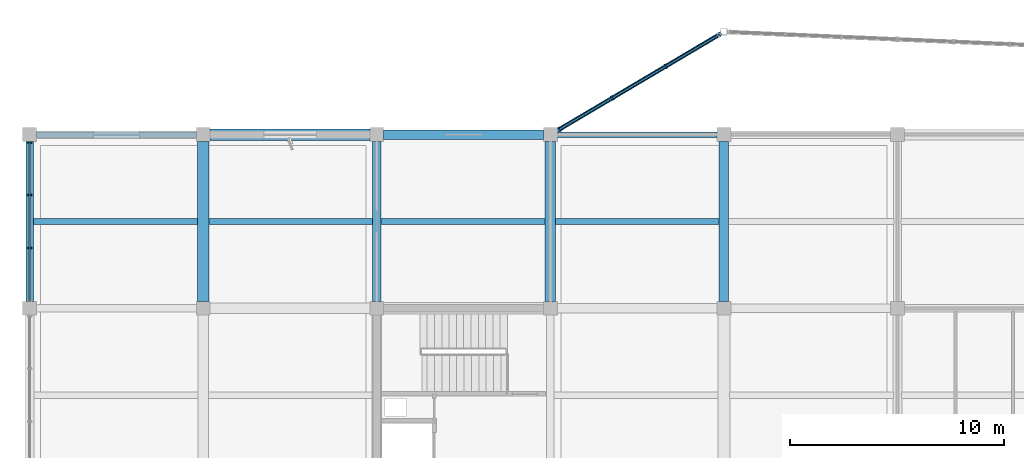
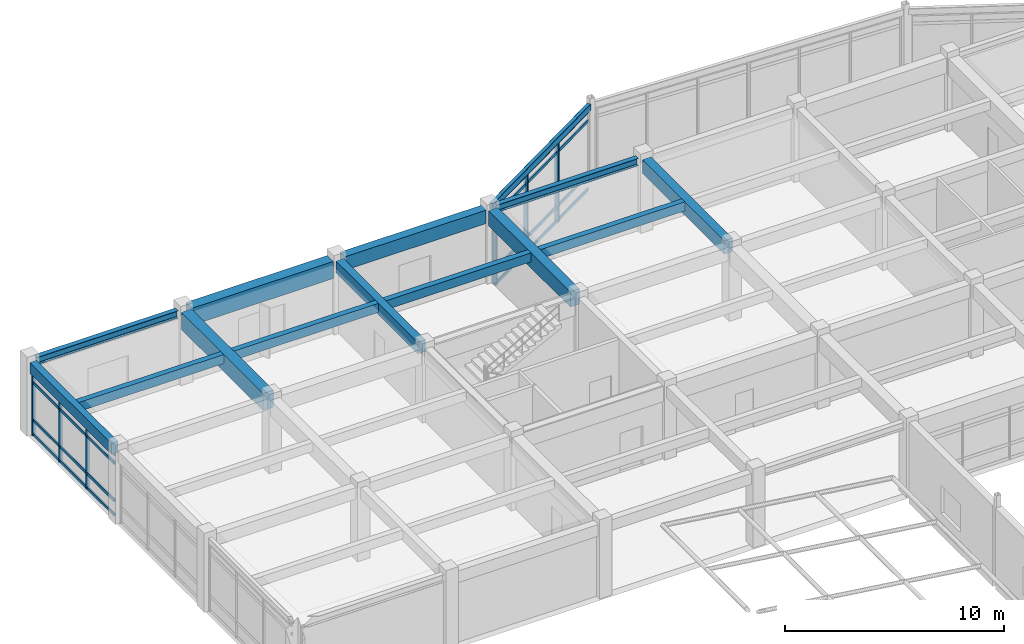
# One storey, part 44 of 89: 14 beams, 14 members, 2 elements without a shape of their own.
"""IFC4 building model written with IfcOpenShell, lengths in metres."""

from ifc_helpers import new_model, si_unit, direction, frame, origin, origin_2d, place, context, subcontext, project, spatial, rectangle, hollow_rectangle, i_section, extrude, material, layer, layer_set, material_profile, profile_set, type_object, element, aggregate, save


model = new_model("IFC4")

# Units and contexts
model_context = context("Model", 3, precision=1e-05, world=origin(), true_north=direction((0.0, 1.0)))
body_context = subcontext(model_context, "Body", "Model", "MODEL_VIEW")
ifc_project = project(units=[si_unit("LENGTHUNIT", "METRE"), si_unit("AREAUNIT", "SQUARE_METRE"), si_unit("VOLUMEUNIT", "CUBIC_METRE"), si_unit("PLANEANGLEUNIT", "RADIAN"), si_unit("MASSUNIT", "GRAM", prefix="KILO")], contexts=[model_context])

# Site, building, storey
site_placement = place(None, origin())
site = spatial("IfcSite", under=ifc_project, at=site_placement, CompositionType="ELEMENT")
building_placement = place(site_placement, origin())
building = spatial("IfcBuilding", under=site, at=building_placement, Name="Vaudrelin Polytechnic", CompositionType="ELEMENT")
storey_placement = place(building_placement, frame((0.0, 0.0, 9.68994140625)))
storey = spatial("IfcBuildingStorey", under=building, at=storey_placement, Name="L02", CompositionType="ELEMENT", Elevation=9.68994140625)

# Beams
ifc_material_1 = material(Name="Concrete 40 MPa", Category="concrete")
ifc_material_profile_1 = material_profile(ifc_material_1, rectangle(XDim=0.35009765625, YDim=0.60009765625, at=origin_2d()), Name="RC350x600")
ifc_profile_set_1 = profile_set([ifc_material_profile_1], Name="Concrete 40 MPa")
beam_type_1 = type_object("IfcBeamType", Name="BM-BM-RC3560", PredefinedType="BEAM", material=ifc_profile_set_1)
beam_1_placement = place(storey_placement, frame((0.0, 113.7099609375, 3.780029296875), z_axis=(0.0, 1.0, 0.0), x_axis=(-1.0, 0.0, 0.0)))
element("IfcBeam", 1, at=beam_1_placement, inside=storey, type_object=beam_type_1, Name="L02 Y-beam 1-15", PredefinedType="BEAM", context=body_context, shape_type="SweptSolid", body=[
    extrude(rectangle(XDim=0.35009765625, YDim=0.60009765625, at=origin_2d()), origin(), (0.0, 0.0, 1.0), 7.47998046875),
])
ifc_material_profile_2 = material_profile(ifc_material_1, rectangle(XDim=0.39990234375, YDim=0.64990234375, at=origin_2d()), Name="RC400x650")
ifc_profile_set_2 = profile_set([ifc_material_profile_2], Name="Concrete 40 MPa")
beam_type_2 = type_object("IfcBeamType", Name="BM-BM-RC4065", PredefinedType="BEAM", material=ifc_profile_set_2)
beam_2_placement = place(storey_placement, frame((16.199951171875, 113.7099609375, 3.755126953125), z_axis=(0.0, 1.0, 0.0), x_axis=(-1.0, 0.0, 0.0)))
element("IfcBeam", 2, at=beam_2_placement, inside=storey, type_object=beam_type_2, Name="L02 Y-beam 3-15", PredefinedType="BEAM", context=body_context, shape_type="SweptSolid", body=[
    extrude(rectangle(XDim=0.39990234375, YDim=0.64990234375, at=origin_2d()), origin(), (0.0, 0.0, 1.0), 7.47998046875),
])
ifc_material_profile_3 = material_profile(ifc_material_1, rectangle(XDim=0.449951171875, YDim=0.75, at=origin_2d()), Name="RC450x750")
ifc_profile_set_3 = profile_set([ifc_material_profile_3], Name="Concrete 40 MPa")
beam_type_3 = type_object("IfcBeamType", Name="BM-BM-RC4575", PredefinedType="BEAM", material=ifc_profile_set_3)
beam_3_placement = place(storey_placement, frame((32.39990234375, 113.7099609375, 3.705078125), z_axis=(0.0, 1.0, 0.0), x_axis=(-1.0, 0.0, 0.0)))
element("IfcBeam", 3, at=beam_3_placement, inside=storey, type_object=beam_type_3, Name="L02 Y-beam 5-15", PredefinedType="BEAM", context=body_context, shape_type="SweptSolid", body=[
    extrude(rectangle(XDim=0.449951171875, YDim=0.75, at=origin_2d()), origin(), (0.0, 0.0, 1.0), 7.47998046875),
])
beam_4_placement = place(storey_placement, frame((16.52099609375, 121.5, 3.705078125), z_axis=(1.0, 0.0, 0.0), x_axis=(0.0, 1.0, 0.0)))
element("IfcBeam", 4, at=beam_4_placement, inside=storey, type_object=beam_type_3, Name="L02 X-beam 3-16", PredefinedType="BEAM", context=body_context, shape_type="SweptSolid", body=[
    extrude(rectangle(XDim=0.449951171875, YDim=0.75, at=origin_2d()), origin(), (0.0, 0.0, 1.0), 7.4580078125),
])
ifc_material_profile_4 = material_profile(ifc_material_1, rectangle(XDim=0.5, YDim=0.85009765625, at=origin_2d()), Name="RC500x850")
ifc_profile_set_4 = profile_set([ifc_material_profile_4], Name="Concrete 40 MPa")
beam_type_4 = type_object("IfcBeamType", Name="BM-BM-RC5085", PredefinedType="BEAM", material=ifc_profile_set_4)
beam_5_placement = place(storey_placement, frame((24.300048828125, 113.7099609375, 3.655029296875), z_axis=(0.0, 1.0, 0.0), x_axis=(-1.0, 0.0, 0.0)))
element("IfcBeam", 5, at=beam_5_placement, inside=storey, type_object=beam_type_4, Name="L02 Y-beam 4-15", PredefinedType="BEAM", context=body_context, shape_type="SweptSolid", body=[
    extrude(rectangle(XDim=0.5, YDim=0.85009765625, at=origin_2d()), origin(), (0.0, 0.0, 1.0), 7.47998046875),
])
ifc_material_2 = material(Name="Concrete 50 MPa", Category="concrete")
ifc_material_profile_5 = material_profile(ifc_material_2, rectangle(XDim=0.550048828125, YDim=0.949951171875, at=origin_2d()), Name="RC550x950")
ifc_profile_set_5 = profile_set([ifc_material_profile_5], Name="Concrete 50 MPa")
beam_type_5 = type_object("IfcBeamType", Name="BM-BM-RC5595", PredefinedType="BEAM", material=ifc_profile_set_5)
beam_6_placement = place(storey_placement, frame((8.10009765625, 113.7099609375, 3.60498046875), z_axis=(0.0, 1.0, 0.0), x_axis=(-1.0, 0.0, 0.0)))
element("IfcBeam", 6, at=beam_6_placement, inside=storey, type_object=beam_type_5, Name="L02 Y-beam 2-15", PredefinedType="BEAM", context=body_context, shape_type="SweptSolid", body=[
    extrude(rectangle(XDim=0.550048828125, YDim=0.949951171875, at=origin_2d()), origin(), (0.0, 0.0, 1.0), 7.47998046875),
])
beam_7_placement = place(storey_placement, frame((8.4208984375, 121.5, 3.60498046875), z_axis=(1.0, 0.0, 0.0), x_axis=(0.0, 1.0, 0.0)))
element("IfcBeam", 7, at=beam_7_placement, inside=storey, type_object=beam_type_5, Name="L02 X-beam 2-16", PredefinedType="BEAM", context=body_context, shape_type="SweptSolid", body=[
    extrude(rectangle(XDim=0.550048828125, YDim=0.949951171875, at=origin_2d()), origin(), (0.0, 0.0, 1.0), 7.4580078125),
])
ifc_material_3 = material(Name="Steel CSA G40.21 350WT", Category="steel")
ifc_material_profile_6 = material_profile(ifc_material_3, i_section(OverallWidth=0.260009765625, OverallDepth=0.4150390625, WebThickness=0.010009765625, FlangeThickness=0.016845703125, FilletRadius=0.01611328125, at=origin_2d()), Name="W410x100")
ifc_profile_set_6 = profile_set([ifc_material_profile_6], Name="Steel CSA G40.21 350WT")
beam_type_6 = type_object("IfcBeamType", Name="BM-BM-W410H", PredefinedType="SPANDREL", material=ifc_profile_set_6)
for number, where, z_axis, x_axis, name in (
    (8, (0.321044921875, 121.5, 3.87255859375), (1.0, 0.0, 0.0), (0.0, 1.0, 0.0), "L02 X-beam 1-16"),
    (9, (24.62109375, 121.5, 3.87255859375), (1.0, 0.0, 0.0), (0.0, 1.0, 0.0), "L02 X-beam 4-16"),
):
    element("IfcBeam", number, at=place(storey_placement, frame(where, z_axis=z_axis, x_axis=x_axis)), inside=storey, type_object=beam_type_6, Name=name, PredefinedType="SPANDREL", context=body_context, shape_type="SweptSolid", body=[
        extrude(i_section(OverallWidth=0.260009765625, OverallDepth=0.4150390625, WebThickness=0.010009765625, FlangeThickness=0.016845703125, FilletRadius=0.01611328125, at=origin_2d()), origin(), (0.0, 0.0, 1.0), 7.4580078125),
    ])
ifc_material_profile_7 = material_profile(ifc_material_1, rectangle(XDim=0.300048828125, YDim=0.5, at=origin_2d()), Name="RC300x500")
ifc_profile_set_7 = profile_set([ifc_material_profile_7], Name="Concrete 40 MPa")
beam_type_7 = type_object("IfcBeamType", Name="BM-JS-RC3050", PredefinedType="JOIST", material=ifc_profile_set_7)
beam_8_placement = place(storey_placement, frame((0.1708984375, 117.449951171875, 3.830078125), z_axis=(1.0, 0.0, 0.0), x_axis=(0.0, 1.0, 0.0)))
element("IfcBeam", 10, at=beam_8_placement, inside=storey, type_object=beam_type_7, Name="L02 floor joist 1-15", PredefinedType="JOIST", context=body_context, shape_type="SweptSolid", body=[
    extrude(rectangle(XDim=0.300048828125, YDim=0.5, at=origin_2d()), origin(), (0.0, 0.0, 1.0), 7.658203125),
])
beam_9_placement = place(storey_placement, frame((8.37109375, 117.449951171875, 3.830078125), z_axis=(1.0, 0.0, 0.0), x_axis=(0.0, 1.0, 0.0)))
element("IfcBeam", 11, at=beam_9_placement, inside=storey, type_object=beam_type_7, Name="L02 floor joist 2-15", PredefinedType="JOIST", context=body_context, shape_type="SweptSolid", body=[
    extrude(rectangle(XDim=0.300048828125, YDim=0.5, at=origin_2d()), origin(), (0.0, 0.0, 1.0), 7.6328125),
])
beam_10_placement = place(storey_placement, frame((16.39599609375, 117.449951171875, 3.830078125), z_axis=(1.0, 0.0, 0.0), x_axis=(0.0, 1.0, 0.0)))
element("IfcBeam", 12, at=beam_10_placement, inside=storey, type_object=beam_type_7, Name="L02 floor joist 3-15", PredefinedType="JOIST", context=body_context, shape_type="SweptSolid", body=[
    extrude(rectangle(XDim=0.300048828125, YDim=0.5, at=origin_2d()), origin(), (0.0, 0.0, 1.0), 7.657958984375),
])
beam_11_placement = place(storey_placement, frame((24.5458984375, 117.449951171875, 3.830078125), z_axis=(1.0, 0.0, 0.0), x_axis=(0.0, 1.0, 0.0)))
element("IfcBeam", 13, at=beam_11_placement, inside=storey, type_object=beam_type_7, Name="L02 floor joist 4-15", PredefinedType="JOIST", context=body_context, shape_type="SweptSolid", body=[
    extrude(rectangle(XDim=0.300048828125, YDim=0.5, at=origin_2d()), origin(), (0.0, 0.0, 1.0), 7.633056640625),
])
ifc_material_profile_8 = material_profile(ifc_material_3, hollow_rectangle(XDim=0.202880859375, YDim=0.35595703125, WallThickness=0.0126953125, InnerFilletRadius=0.0126953125, OuterFilletRadius=0.025390625, at=origin_2d()), Name="HSS356x203x12.7")
ifc_profile_set_8 = profile_set([ifc_material_profile_8], Name="Steel CSA G40.21 350WT")
beam_type_8 = type_object("IfcBeamType", Name="BM-SP-HSS35", PredefinedType="SPANDREL", material=ifc_profile_set_8)
beam_12_placement = place(storey_placement, frame((24.42041015625, 121.5712890625, 3.962158203125), z_axis=(0.860293270053, 0.509799460083, 0.0), x_axis=(-0.509799460083, 0.860293270053, 0.0)))
element("IfcBeam", 14, at=beam_12_placement, inside=storey, type_object=beam_type_8, Name="Sculptural edge beam L02 N_OR1_B1", PredefinedType="SPANDREL", context=body_context, shape_type="SweptSolid", body=[
    extrude(hollow_rectangle(XDim=0.202880859375, YDim=0.35595703125, WallThickness=0.0126953125, InnerFilletRadius=0.0126953125, OuterFilletRadius=0.025390625, at=origin_2d()), origin(), (0.0, 0.0, 1.0), 9.135498046875),
])

# Curtain wall, members
ifc_material_4 = material(Name="Thermally broken anodised aluminium AA 6063-T6 and low-e triple glazing", Category="aluminium")
ifc_layer_1 = layer(ifc_material_4, 0.199951171875)
ifc_layer_set_1 = layer_set([ifc_layer_1], Name="Thermally broken anodised aluminium AA 6063-T6 and low-e triple glazing")
curtain_wall_type_1 = type_object("IfcCurtainWallType", Name="CW-CW-LIB", PredefinedType="USERDEFINED", material=ifc_layer_set_1)
curtain_wall_1_placement = place(storey_placement, origin())
curtain_wall_1 = element("IfcCurtainWall", 15, at=curtain_wall_1_placement, inside=storey, type_object=curtain_wall_type_1, Name="Curtain wall L02 W_V5_02", ObjectType="CURTAIN WALL", PredefinedType="USERDEFINED")
ifc_material_5 = material(Name="Anodised aluminium AA 6063-T6", Category="aluminium")
ifc_material_profile_9 = material_profile(ifc_material_5, rectangle(XDim=0.06494140625, YDim=0.179931640625, at=origin_2d()), Name="CWM-65x180")
ifc_profile_set_9 = profile_set([ifc_material_profile_9], Name="Anodised aluminium AA 6063-T6")
member_type_1 = type_object("IfcMemberType", Name="MEM-CWM-180", PredefinedType="MULLION", material=ifc_profile_set_9)
member_1_placement = place(storey_placement, frame((0.0, 116.207763671875, 0.0), z_axis=(0.0, 0.0, 1.0), x_axis=(0.0, 1.0, 0.0)))
member_1 = element("IfcMember", 16, at=member_1_placement, type_object=member_type_1, Name="W_V5_02 mullion 2", PredefinedType="MULLION", context=body_context, shape_type="SweptSolid", body=[
    extrude(rectangle(XDim=0.06494140625, YDim=0.179931640625, at=origin_2d()), origin(), (0.0, 0.0, 1.0), 3.482177734375),
])
member_2_placement = place(storey_placement, frame((0.0, 118.6923828125, 0.0), z_axis=(0.0, 0.0, 1.0), x_axis=(0.0, 1.0, 0.0)))
member_2 = element("IfcMember", 17, at=member_2_placement, type_object=member_type_1, Name="W_V5_02 mullion 3", PredefinedType="MULLION", context=body_context, shape_type="SweptSolid", body=[
    extrude(rectangle(XDim=0.06494140625, YDim=0.179931640625, at=origin_2d()), origin(), (0.0, 0.0, 1.0), 3.482177734375),
])
member_3_placement = place(storey_placement, frame((0.0, 121.136962890625, 0.0), z_axis=(0.0, 0.0, 1.0), x_axis=(0.0, 1.0, 0.0)))
member_3 = element("IfcMember", 18, at=member_3_placement, type_object=member_type_1, Name="W_V5_02 mullion 4", PredefinedType="MULLION", context=body_context, shape_type="SweptSolid", body=[
    extrude(rectangle(XDim=0.06494140625, YDim=0.179931640625, at=origin_2d()), origin(), (0.0, 0.0, 1.0), 3.482177734375),
])

ifc_layer_2 = layer(ifc_material_4, 0.199951171875)
ifc_layer_set_2 = layer_set([ifc_layer_2], Name="Thermally broken anodised aluminium AA 6063-T6 and low-e triple glazing")
curtain_wall_type_2 = type_object("IfcCurtainWallType", Name="CW-CW-STU", PredefinedType="USERDEFINED", material=ifc_layer_set_2)
curtain_wall_2_placement = place(storey_placement, origin())
curtain_wall_2 = element("IfcCurtainWall", 19, at=curtain_wall_2_placement, inside=storey, type_object=curtain_wall_type_2, Name="Curtain wall L02 N_OR1_1_0", ObjectType="CURTAIN WALL", PredefinedType="USERDEFINED")
ifc_material_profile_10 = material_profile(ifc_material_5, rectangle(XDim=0.074951171875, YDim=0.219970703125, at=origin_2d()), Name="CWM-75x220")
ifc_profile_set_10 = profile_set([ifc_material_profile_10], Name="Anodised aluminium AA 6063-T6")
member_type_2 = type_object("IfcMemberType", Name="MEM-CWM-220", PredefinedType="MULLION", material=ifc_profile_set_10)
member_4_placement = place(storey_placement, frame((24.732421875, 121.75634765625, -0.6298828125), z_axis=(0.0, 0.0, 1.0), x_axis=(0.860291533635, 0.509802390301, 0.0)))
member_4 = element("IfcMember", 20, at=member_4_placement, type_object=member_type_2, Name="N_OR1_1_0 mullion 1", PredefinedType="MULLION", context=body_context, shape_type="SweptSolid", body=[
    extrude(rectangle(XDim=0.074951171875, YDim=0.219970703125, at=origin_2d()), origin(), (0.0, 0.0, 1.0), 4.43994140625),
])
member_5_placement = place(storey_placement, frame((27.190185546875, 123.212646484375, -0.6298828125), z_axis=(0.0, 0.0, 1.0), x_axis=(0.860291533635, 0.509802390301, 0.0)))
member_5 = element("IfcMember", 21, at=member_5_placement, type_object=member_type_2, Name="N_OR1_1_0 mullion 2", PredefinedType="MULLION", context=body_context, shape_type="SweptSolid", body=[
    extrude(rectangle(XDim=0.074951171875, YDim=0.219970703125, at=origin_2d()), origin(), (0.0, 0.0, 1.0), 4.43994140625),
])
member_6_placement = place(storey_placement, frame((29.682373046875, 124.689453125, -0.6298828125), z_axis=(0.0, 0.0, 1.0), x_axis=(0.860291533635, 0.509802390301, 0.0)))
member_6 = element("IfcMember", 22, at=member_6_placement, type_object=member_type_2, Name="N_OR1_1_0 mullion 3", PredefinedType="MULLION", context=body_context, shape_type="SweptSolid", body=[
    extrude(rectangle(XDim=0.074951171875, YDim=0.219970703125, at=origin_2d()), origin(), (0.0, 0.0, 1.0), 4.43994140625),
])

# Member
ifc_material_profile_11 = material_profile(ifc_material_5, rectangle(XDim=0.074951171875, YDim=0.1650390625, at=origin_2d()), Name="CWT-75x165")
ifc_profile_set_11 = profile_set([ifc_material_profile_11], Name="Anodised aluminium AA 6063-T6")
member_type_3 = type_object("IfcMemberType", Name="MEM-CWT-165", PredefinedType="USERDEFINED", material=ifc_profile_set_11)
member_7_placement = place(storey_placement, frame((0.0, 113.722900390625, 0.050048828125), z_axis=(0.0, 1.0, 0.0), x_axis=(-1.0, 0.0, 0.0)))
member_7 = element("IfcMember", 23, at=member_7_placement, type_object=member_type_3, Name="W_V5_02 transom 1", ObjectType="TRANSOM", PredefinedType="USERDEFINED", context=body_context, shape_type="SweptSolid", body=[
    extrude(rectangle(XDim=0.074951171875, YDim=0.1650390625, at=origin_2d()), origin(), (0.0, 0.0, 1.0), 7.4541015625),
])

member_8_placement = place(storey_placement, frame((0.0, 113.722900390625, 0.85009765625), z_axis=(0.0, 1.0, 0.0), x_axis=(-1.0, 0.0, 0.0)))
member_8 = element("IfcMember", 24, at=member_8_placement, type_object=member_type_3, Name="W_V5_02 transom 2", ObjectType="TRANSOM", PredefinedType="USERDEFINED", context=body_context, shape_type="SweptSolid", body=[
    extrude(rectangle(XDim=0.074951171875, YDim=0.1650390625, at=origin_2d()), origin(), (0.0, 0.0, 1.0), 7.4541015625),
])

member_9_placement = place(storey_placement, frame((0.0, 113.722900390625, 2.93212890625), z_axis=(0.0, 1.0, 0.0), x_axis=(-1.0, 0.0, 0.0)))
member_9 = element("IfcMember", 25, at=member_9_placement, type_object=member_type_3, Name="W_V5_02 transom 3", ObjectType="TRANSOM", PredefinedType="USERDEFINED", context=body_context, shape_type="SweptSolid", body=[
    extrude(rectangle(XDim=0.074951171875, YDim=0.1650390625, at=origin_2d()), origin(), (0.0, 0.0, 1.0), 7.4541015625),
])

member_10_placement = place(storey_placement, frame((0.0, 113.722900390625, 3.43212890625), z_axis=(0.0, 1.0, 0.0), x_axis=(-1.0, 0.0, 0.0)))
member_10 = element("IfcMember", 26, at=member_10_placement, type_object=member_type_3, Name="W_V5_02 transom 4", ObjectType="TRANSOM", PredefinedType="USERDEFINED", context=body_context, shape_type="SweptSolid", body=[
    extrude(rectangle(XDim=0.074951171875, YDim=0.1650390625, at=origin_2d()), origin(), (0.0, 0.0, 1.0), 7.4541015625),
])

aggregate(curtain_wall_1, [member_1, member_2, member_3, member_7, member_8, member_9, member_10])

member_11_placement = place(storey_placement, frame((24.697998046875, 121.73583984375, -0.579833984375), z_axis=(0.860291077301, 0.509803160363, 0.0), x_axis=(-0.509803160363, 0.860291077301, 0.0)))
member_11 = element("IfcMember", 27, at=member_11_placement, type_object=member_type_3, Name="N_OR1_1_0 transom 1", ObjectType="TRANSOM", PredefinedType="USERDEFINED", context=body_context, shape_type="SweptSolid", body=[
    extrude(rectangle(XDim=0.074951171875, YDim=0.1650390625, at=origin_2d()), origin(), (0.0, 0.0, 1.0), 8.6904296875),
])

member_12_placement = place(storey_placement, frame((24.697998046875, 121.73583984375, 0.219970703125), z_axis=(0.860291077301, 0.509803160363, 0.0), x_axis=(-0.509803160363, 0.860291077301, 0.0)))
member_12 = element("IfcMember", 28, at=member_12_placement, type_object=member_type_3, Name="N_OR1_1_0 transom 2", ObjectType="TRANSOM", PredefinedType="USERDEFINED", context=body_context, shape_type="SweptSolid", body=[
    extrude(rectangle(XDim=0.074951171875, YDim=0.1650390625, at=origin_2d()), origin(), (0.0, 0.0, 1.0), 8.6904296875),
])

member_13_placement = place(storey_placement, frame((24.697998046875, 121.73583984375, 3.260009765625), z_axis=(0.860291077301, 0.509803160363, 0.0), x_axis=(-0.509803160363, 0.860291077301, 0.0)))
member_13 = element("IfcMember", 29, at=member_13_placement, type_object=member_type_3, Name="N_OR1_1_0 transom 3", ObjectType="TRANSOM", PredefinedType="USERDEFINED", context=body_context, shape_type="SweptSolid", body=[
    extrude(rectangle(XDim=0.074951171875, YDim=0.1650390625, at=origin_2d()), origin(), (0.0, 0.0, 1.0), 8.6904296875),
])

member_14_placement = place(storey_placement, frame((24.697998046875, 121.73583984375, 3.760009765625), z_axis=(0.860291077301, 0.509803160363, 0.0), x_axis=(-0.509803160363, 0.860291077301, 0.0)))
member_14 = element("IfcMember", 30, at=member_14_placement, type_object=member_type_3, Name="N_OR1_1_0 transom 4", ObjectType="TRANSOM", PredefinedType="USERDEFINED", context=body_context, shape_type="SweptSolid", body=[
    extrude(rectangle(XDim=0.074951171875, YDim=0.1650390625, at=origin_2d()), origin(), (0.0, 0.0, 1.0), 8.6904296875),
])

aggregate(curtain_wall_2, [member_4, member_5, member_6, member_11, member_12, member_13, member_14])

save(model, "model.ifc")
